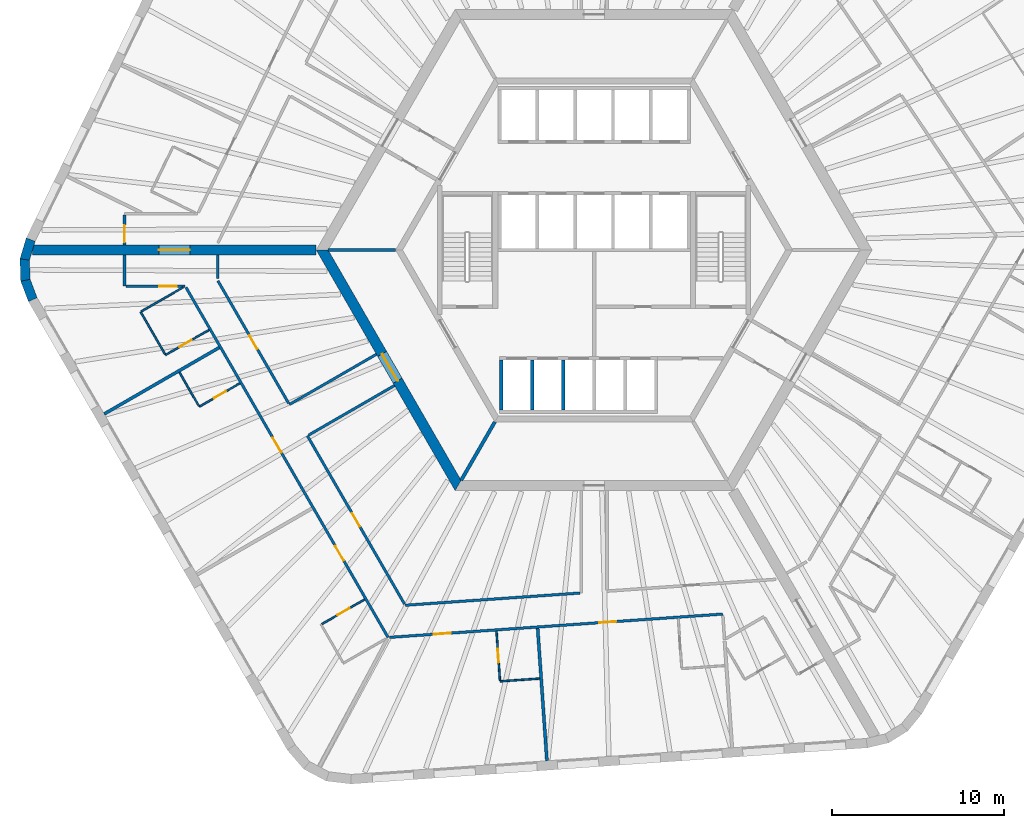
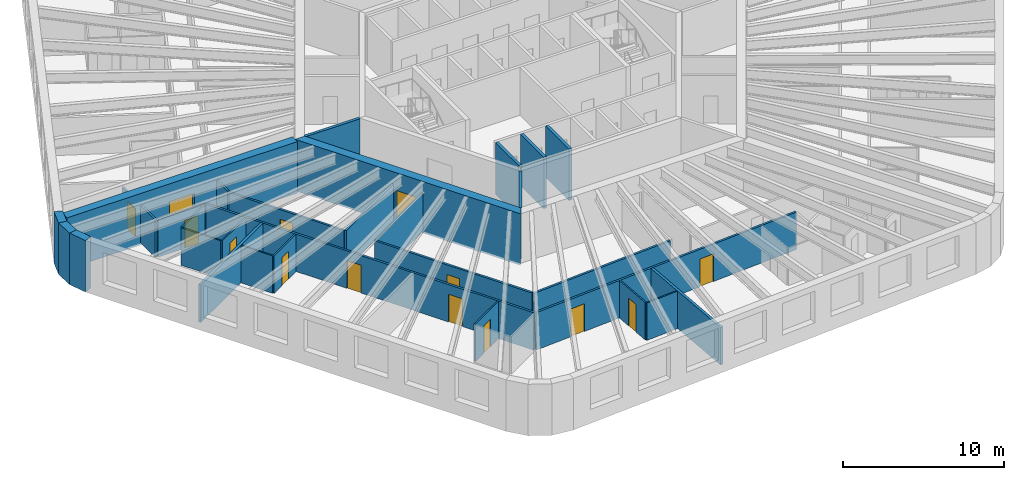
# One storey, part 3 of 12: 31 walls, 14 doors, 14 openings.
"""IFC4 building model written with IfcOpenShell, lengths in metres."""

from ifc_helpers import new_model, si_unit, direction, frame, frame_2d, origin, place, context, subcontext, project, spatial, polyline, rectangle, outline, extrude, material, layer, layer_set, type_object, element, fill, save


model = new_model("IFC4")

# Units and contexts
model_context = context("Model", 3, precision=1e-05, world=origin(), true_north=direction((0.0, 1.0)))
body_context = subcontext(model_context, "Body", "Model", "MODEL_VIEW")
ifc_project = project(units=[si_unit("LENGTHUNIT", "METRE"), si_unit("AREAUNIT", "SQUARE_METRE"), si_unit("VOLUMEUNIT", "CUBIC_METRE"), si_unit("PLANEANGLEUNIT", "RADIAN"), si_unit("MASSUNIT", "GRAM", prefix="KILO")], contexts=[model_context])

# Site, building, storey
site_placement = place(None, origin())
site = spatial("IfcSite", under=ifc_project, at=site_placement, CompositionType="ELEMENT")
building_placement = place(site_placement, origin())
building = spatial("IfcBuilding", under=site, at=building_placement, Name="Tarnside Tower", CompositionType="ELEMENT")
storey_placement = place(building_placement, frame((0.0, 0.0, 138.89990234375)))
storey = spatial("IfcBuildingStorey", under=building, at=storey_placement, Name="L32", CompositionType="ELEMENT", Elevation=138.89990234375)

# Wall, opening, door
ifc_material_1 = material(Name="Gypsum board partition on steel studs", Category="steel")
ifc_layer_1 = layer(ifc_material_1, 0.10009765625)
ifc_layer_set_1 = layer_set([ifc_layer_1], Name="Bathroom wall 100")
wall_type_1 = type_object("IfcWallType", Name="Bathroom wall 100", PredefinedType="PARTITIONING", material=ifc_layer_set_1)
wall_1_placement = place(storey_placement, frame((-22.40185546875, -4.64892578125, 0.0), z_axis=(0.0, 0.0, 1.0), x_axis=(-0.865989585315, -0.500062034277, 0.0)))
wall_1 = element("IfcWall", 1, at=wall_1_placement, inside=storey, type_object=wall_type_1, Name="Bathroom wall 10109", PredefinedType="PARTITIONING", context=body_context, shape_type="SweptSolid", body=[
    extrude(rectangle(XDim=2.925048828125, YDim=0.10009765625, at=frame_2d((1.46240234375, 0.0))), origin(), (0.0, 0.0, 1.0), 2.837890625),
])
opening_1_placement = place(wall_1_placement, frame((1.175048828125, 0.0, 0.0)))
opening_1 = element("IfcOpeningElement", 2, at=opening_1_placement, cuts=wall_1, Name="Opening D-B1", PredefinedType="OPENING", context=body_context, shape_type="SweptSolid", body=[
    extrude(rectangle(XDim=0.800048828125, YDim=2.10009765625, at=frame_2d((0.39990234375, 1.050048828125))), frame((0.0, 0.06005859375, 0.0), z_axis=(0.0, -1.0, 0.0), x_axis=(1.0, 0.0, 0.0)), (0.0, 0.0, 1.0), 0.1201171875),
])
ifc_material_2 = material(Name="Timber door leaf", Category="wood")
door_type_1 = type_object("IfcDoorType", Name="Bathroom door 800", OperationType="NOTDEFINED", PredefinedType="DOOR", material=ifc_material_2)
door_1_placement = place(opening_1_placement, origin())
door_1 = element("IfcDoor", 3, at=door_1_placement, inside=storey, type_object=door_type_1, Name="Bathroom door 10018", OperationType="SINGLE_SWING_LEFT", OverallHeight=2.10009765625, OverallWidth=0.800048828125, PredefinedType="DOOR", context=body_context, shape_type="SweptSolid", body=[
    extrude(rectangle(XDim=0.800048828125, YDim=2.10009765625, at=frame_2d((0.39990234375, 1.050048828125))), frame((0.0, 0.02490234375, 0.0), z_axis=(0.0, -1.0, 0.0), x_axis=(1.0, 0.0, 0.0)), (0.0, 0.0, 1.0), 0.050048828125),
])
fill(opening_1, door_1)

# Walls
wall_2_placement = place(storey_placement, frame((-24.9599609375, -6.068115234375, 0.0), z_axis=(0.0, 0.0, 1.0), x_axis=(-0.500036373335, 0.866004402611, 0.0)))
element("IfcWall", 4, at=wall_2_placement, inside=storey, type_object=wall_type_1, Name="Bathroom wall 10110", PredefinedType="PARTITIONING", context=body_context, shape_type="SweptSolid", body=[
    extrude(rectangle(XDim=2.849853515625, YDim=0.10009765625, at=frame_2d((1.4248046875, 0.0))), origin(), (0.0, 0.0, 1.0), 2.837890625),
])
wall_3_placement = place(storey_placement, frame((-26.341552734375, -3.574951171875, 0.0), z_axis=(0.0, 0.0, 1.0), x_axis=(0.866034573852, 0.49998411664, 0.0)))
element("IfcWall", 5, at=wall_3_placement, inside=storey, type_object=wall_type_1, Name="Bathroom wall 10111", PredefinedType="PARTITIONING", context=body_context, shape_type="SweptSolid", body=[
    extrude(rectangle(XDim=2.7998046875, YDim=0.10009765625, at=frame_2d((1.39990234375, 0.0))), origin(), (0.0, 0.0, 1.0), 2.837890625),
])

# Wall, opening, door
wall_4_placement = place(storey_placement, frame((-20.60888671875, -7.75439453125, 0.0), z_axis=(0.0, 0.0, 1.0), x_axis=(-0.866012511928, -0.500022328685, 0.0)))
wall_4 = element("IfcWall", 6, at=wall_4_placement, inside=storey, type_object=wall_type_1, Name="Bathroom wall 10114", PredefinedType="PARTITIONING", context=body_context, shape_type="SweptSolid", body=[
    extrude(rectangle(XDim=2.72509765625, YDim=0.10009765625, at=frame_2d((1.362548828125, 0.0))), origin(), (0.0, 0.0, 1.0), 2.837890625),
])
opening_2_placement = place(wall_4_placement, frame((0.925048828125, 0.0, 0.0)))
opening_2 = element("IfcOpeningElement", 7, at=opening_2_placement, cuts=wall_4, Name="Opening D-B1", PredefinedType="OPENING", context=body_context, shape_type="SweptSolid", body=[
    extrude(rectangle(XDim=0.800048828125, YDim=2.10009765625, at=frame_2d((0.39990234375, 1.050048828125))), frame((0.0, 0.06005859375, 0.0), z_axis=(0.0, -1.0, 0.0), x_axis=(1.0, 0.0, 0.0)), (0.0, 0.0, 1.0), 0.1201171875),
])
door_2_placement = place(opening_2_placement, origin())
door_2 = element("IfcDoor", 8, at=door_2_placement, inside=storey, type_object=door_type_1, Name="Bathroom door 10020", OperationType="SINGLE_SWING_RIGHT", OverallHeight=2.10009765625, OverallWidth=0.800048828125, PredefinedType="DOOR", context=body_context, shape_type="SweptSolid", body=[
    extrude(rectangle(XDim=0.800048828125, YDim=2.10009765625, at=frame_2d((0.39990234375, 1.050048828125))), frame((0.0, 0.02490234375, 0.0), z_axis=(0.0, -1.0, 0.0), x_axis=(1.0, 0.0, 0.0)), (0.0, 0.0, 1.0), 0.050048828125),
])
fill(opening_2, door_2)

# Wall
wall_5_placement = place(storey_placement, frame((-22.993896484375, -9.073486328125, 0.0), z_axis=(0.0, 0.0, 1.0), x_axis=(-0.4999967785, 0.866027263711, 0.0)))
element("IfcWall", 9, at=wall_5_placement, inside=storey, type_object=wall_type_1, Name="Bathroom wall 10115", PredefinedType="PARTITIONING", context=body_context, shape_type="SweptSolid", body=[
    extrude(rectangle(XDim=2.259765625, YDim=0.10009765625, at=frame_2d((1.1298828125, 0.0))), origin(), (0.0, 0.0, 1.0), 2.837890625),
])

# Wall, opening, door
wall_6_placement = place(storey_placement, frame((-15.840087890625, -21.764404296875, 0.0), z_axis=(0.0, 0.0, 1.0), x_axis=(0.866039941686, 0.499974818771, 0.0)))
wall_6 = element("IfcWall", 10, at=wall_6_placement, inside=storey, type_object=wall_type_1, Name="Bathroom wall 10119", PredefinedType="PARTITIONING", context=body_context, shape_type="SweptSolid", body=[
    extrude(rectangle(XDim=2.875244140625, YDim=0.10009765625, at=frame_2d((1.4375, 0.0))), origin(), (0.0, 0.0, 1.0), 2.837890625),
])
opening_3_placement = place(wall_6_placement, frame((1.050048828125, 0.0, 0.0)))
opening_3 = element("IfcOpeningElement", 11, at=opening_3_placement, cuts=wall_6, Name="Opening D-B1", PredefinedType="OPENING", context=body_context, shape_type="SweptSolid", body=[
    extrude(rectangle(XDim=0.800048828125, YDim=2.10009765625, at=frame_2d((0.39990234375, 1.050048828125))), frame((0.0, 0.06005859375, 0.0), z_axis=(0.0, -1.0, 0.0), x_axis=(1.0, 0.0, 0.0)), (0.0, 0.0, 1.0), 0.1201171875),
])
door_3_placement = place(opening_3_placement, origin())
door_3 = element("IfcDoor", 12, at=door_3_placement, inside=storey, type_object=door_type_1, Name="Bathroom door 10022", OperationType="SINGLE_SWING_LEFT", OverallHeight=2.10009765625, OverallWidth=0.800048828125, PredefinedType="DOOR", context=body_context, shape_type="SweptSolid", body=[
    extrude(rectangle(XDim=0.800048828125, YDim=2.10009765625, at=frame_2d((0.39990234375, 1.050048828125))), frame((0.0, 0.02490234375, 0.0), z_axis=(0.0, -1.0, 0.0), x_axis=(1.0, 0.0, 0.0)), (0.0, 0.0, 1.0), 0.050048828125),
])
fill(opening_3, door_3)

# Wall
wall_7_placement = place(storey_placement, frame((-3.169677734375, -24.931884765625, 0.0), z_axis=(0.0, 0.0, 1.0), x_axis=(-0.997564338377, -0.069752353356, 0.0)))
element("IfcWall", 13, at=wall_7_placement, inside=storey, type_object=wall_type_1, Name="Bathroom wall 10121", PredefinedType="PARTITIONING", context=body_context, shape_type="SweptSolid", body=[
    extrude(rectangle(XDim=2.31005859375, YDim=0.10009765625, at=frame_2d((1.155029296875, 0.0))), origin(), (0.0, 0.0, 1.0), 2.837890625),
])

# Wall, opening, door
wall_8_placement = place(storey_placement, frame((-5.4775390625, -25.043212890625, 0.0), z_axis=(0.0, 0.0, 1.0), x_axis=(-0.069714207611, 0.997567004896, 0.0)))
wall_8 = element("IfcWall", 14, at=wall_8_placement, inside=storey, type_object=wall_type_1, Name="Bathroom wall 10122", PredefinedType="PARTITIONING", context=body_context, shape_type="SweptSolid", body=[
    extrude(rectangle(XDim=2.875244140625, YDim=0.10009765625, at=frame_2d((1.4375, 0.0))), origin(), (0.0, 0.0, 1.0), 2.837890625),
])
opening_4_placement = place(wall_8_placement, frame((1.050048828125, 0.0, 0.0)))
opening_4 = element("IfcOpeningElement", 15, at=opening_4_placement, cuts=wall_8, Name="Opening D-B1", PredefinedType="OPENING", context=body_context, shape_type="SweptSolid", body=[
    extrude(rectangle(XDim=0.800048828125, YDim=2.10009765625, at=frame_2d((0.39990234375, 1.050048828125))), frame((0.0, 0.06005859375, 0.0), z_axis=(0.0, -1.0, 0.0), x_axis=(1.0, 0.0, 0.0)), (0.0, 0.0, 1.0), 0.1201171875),
])
door_4_placement = place(opening_4_placement, origin())
door_4 = element("IfcDoor", 16, at=door_4_placement, inside=storey, type_object=door_type_1, Name="Bathroom door 10024", OperationType="SINGLE_SWING_LEFT", OverallHeight=2.10009765625, OverallWidth=0.800048828125, PredefinedType="DOOR", context=body_context, shape_type="SweptSolid", body=[
    extrude(rectangle(XDim=0.800048828125, YDim=2.10009765625, at=frame_2d((0.39990234375, 1.050048828125))), frame((0.0, 0.02490234375, 0.0), z_axis=(0.0, -1.0, 0.0), x_axis=(1.0, 0.0, 0.0)), (0.0, 0.0, 1.0), 0.050048828125),
])
fill(opening_4, door_4)

ifc_material_3 = material(Name="Concrete C80/95", Category="concrete")
ifc_layer_2 = layer(ifc_material_3, 0.60009765625)
ifc_layer_set_2 = layer_set([ifc_layer_2], Name="Core wall Z1 600 C80/95")
wall_type_2 = type_object("IfcWallType", Name="Core wall Z1 600 C80/95", PredefinedType="SHEAR", material=ifc_layer_set_2)
wall_9_placement = place(storey_placement, frame((-15.8193359375, 0.0, -0.14990234375), z_axis=(0.0, 0.0, 1.0), x_axis=(0.499999880136, -0.866025472988, 0.0)))
wall_9 = element("IfcWall", 17, at=wall_9_placement, inside=storey, type_object=wall_type_2, Name="L32 core wall face 3", PredefinedType="SHEAR", context=body_context, shape_type="SweptSolid", body=[
    extrude(outline(polyline([(-0.17333984375, -0.300048828125), (15.99267578125, -0.300048828125), (15.64599609375, 0.300048828125), (0.17333984375, 0.300048828125), (-0.17333984375, -0.300048828125)])), origin(), (0.0, 0.0, 1.0), 3.89990234375),
])
opening_5_placement = place(wall_9_placement, frame((6.980712890625, 0.0, 0.14990234375)))
opening_5 = element("IfcOpeningElement", 18, at=opening_5_placement, cuts=wall_9, Name="Opening CD-FFL", PredefinedType="OPENING", context=body_context, shape_type="SweptSolid", body=[
    extrude(rectangle(XDim=1.800048828125, YDim=2.39990234375, at=frame_2d((0.89990234375, 1.199951171875))), frame((0.0, 0.31005859375, 0.0), z_axis=(0.0, -1.0, 0.0), x_axis=(1.0, 0.0, 0.0)), (0.0, 0.0, 1.0), 0.6201171875),
])
ifc_material_4 = material(Name="Steel fire door", Category="steel")
door_type_2 = type_object("IfcDoorType", Name="Firefighting lobby double door FD60S 1800x2400", OperationType="NOTDEFINED", PredefinedType="DOOR", material=ifc_material_4)
door_5_placement = place(opening_5_placement, origin())
door_5 = element("IfcDoor", 19, at=door_5_placement, inside=storey, type_object=door_type_2, Name="L32 core door P3", OperationType="DOUBLE_DOOR_SINGLE_SWING", OverallHeight=2.39990234375, OverallWidth=1.800048828125, PredefinedType="DOOR", context=body_context, shape_type="SweptSolid", body=[
    extrude(rectangle(XDim=1.800048828125, YDim=2.39990234375, at=frame_2d((0.89990234375, 1.199951171875))), frame((0.0, 0.02490234375, 0.0), z_axis=(0.0, -1.0, 0.0), x_axis=(1.0, 0.0, 0.0)), (0.0, 0.0, 1.0), 0.050048828125),
])
fill(opening_5, door_5)

wall_10_placement = place(storey_placement, frame((-16.165771484375, 0.0, -0.14990234375), z_axis=(0.0, 0.0, 1.0), x_axis=(-1.0, 0.0, 0.0)))
wall_10 = element("IfcWall", 20, at=wall_10_placement, inside=storey, type_object=wall_type_2, Name="L32 spine wall 2", PredefinedType="SHEAR", context=body_context, shape_type="SweptSolid", body=[
    extrude(rectangle(XDim=16.509033203125, YDim=0.60009765625, at=frame_2d((8.25439453125, 0.0))), origin(), (0.0, 0.0, 1.0), 3.89990234375),
])
opening_6_placement = place(wall_10_placement, frame((7.3544921875, 0.0, 0.14990234375)))
opening_6 = element("IfcOpeningElement", 21, at=opening_6_placement, cuts=wall_10, Name="Opening CD-SPN", PredefinedType="OPENING", context=body_context, shape_type="SweptSolid", body=[
    extrude(rectangle(XDim=1.800048828125, YDim=2.39990234375, at=frame_2d((0.89990234375, 1.199951171875))), frame((0.0, 0.31005859375, 0.0), z_axis=(0.0, -1.0, 0.0), x_axis=(1.0, 0.0, 0.0)), (0.0, 0.0, 1.0), 0.6201171875),
])
door_type_3 = type_object("IfcDoorType", Name="Spine passage double door FD60 1800x2400", OperationType="NOTDEFINED", PredefinedType="DOOR", material=ifc_material_4)
door_6_placement = place(opening_6_placement, origin())
door_6 = element("IfcDoor", 22, at=door_6_placement, inside=storey, type_object=door_type_3, Name="L32 spine passage door 2", OperationType="DOUBLE_DOOR_SINGLE_SWING", OverallHeight=2.39990234375, OverallWidth=1.800048828125, PredefinedType="DOOR", context=body_context, shape_type="SweptSolid", body=[
    extrude(rectangle(XDim=1.800048828125, YDim=2.39990234375, at=frame_2d((0.89990234375, 1.199951171875))), frame((0.0, 0.02490234375, 0.0), z_axis=(0.0, -1.0, 0.0), x_axis=(1.0, 0.0, 0.0)), (0.0, 0.0, 1.0), 0.050048828125),
])
fill(opening_6, door_6)

ifc_layer_3 = layer(ifc_material_1, 0.14990234375)
ifc_layer_set_3 = layer_set([ifc_layer_3], Name="Corridor wall 150 EI 60")
wall_type_3 = type_object("IfcWallType", Name="Corridor wall 150 EI 60", PredefinedType="PARTITIONING", material=ifc_layer_set_3)
wall_11_placement = place(storey_placement, frame((-27.3203125, 2.02490234375, 0.0), z_axis=(0.0, 0.0, 1.0), x_axis=(0.0, -1.0, 0.0)))
wall_11 = element("IfcWall", 23, at=wall_11_placement, inside=storey, type_object=wall_type_3, Name="Corridor wall 10015", PredefinedType="PARTITIONING", context=body_context, shape_type="SweptSolid", body=[
    extrude(rectangle(XDim=1.724853515625, YDim=0.14990234375, at=frame_2d((0.8623046875, 0.0))), origin(), (0.0, 0.0, 1.0), 2.837890625),
])
opening_7_placement = place(wall_11_placement, frame((0.574951171875, 0.0, 0.0)))
opening_7 = element("IfcOpeningElement", 24, at=opening_7_placement, cuts=wall_11, Name="Opening D-E1", PredefinedType="OPENING", context=body_context, shape_type="SweptSolid", body=[
    extrude(rectangle(XDim=1.0, YDim=2.10009765625, at=frame_2d((0.5, 1.050048828125))), frame((0.0, 0.0849609375, 0.0), z_axis=(0.0, -1.0, 0.0), x_axis=(1.0, 0.0, 0.0)), (0.0, 0.0, 1.0), 0.169921875),
])
door_type_4 = type_object("IfcDoorType", Name="Unit entrance door 1000 FD30S", OperationType="NOTDEFINED", PredefinedType="DOOR", material=ifc_material_2)
door_7_placement = place(opening_7_placement, origin())
door_7 = element("IfcDoor", 25, at=door_7_placement, inside=storey, type_object=door_type_4, Name="Unit door 10016", OperationType="SINGLE_SWING_LEFT", OverallHeight=2.10009765625, OverallWidth=1.0, PredefinedType="DOOR", context=body_context, shape_type="SweptSolid", body=[
    extrude(rectangle(XDim=1.0, YDim=2.10009765625, at=frame_2d((0.5, 1.050048828125))), frame((0.0, 0.02490234375, 0.0), z_axis=(0.0, -1.0, 0.0), x_axis=(1.0, 0.0, 0.0)), (0.0, 0.0, 1.0), 0.050048828125),
])
fill(opening_7, door_7)

# Wall
wall_12_placement = place(storey_placement, frame((-27.3203125, -0.300048828125, 0.0), z_axis=(0.0, 0.0, 1.0), x_axis=(0.0, -1.0, 0.0)))
element("IfcWall", 26, at=wall_12_placement, inside=storey, type_object=wall_type_3, Name="Corridor wall 10025", PredefinedType="PARTITIONING", context=body_context, shape_type="SweptSolid", body=[
    extrude(rectangle(XDim=1.800048828125, YDim=0.14990234375, at=frame_2d((0.89990234375, 0.0))), origin(), (0.0, 0.0, 1.0), 2.837890625),
])

# Wall, opening, door
wall_13_placement = place(storey_placement, frame((-27.245361328125, -2.10009765625, 0.0), z_axis=(0.0, 0.0, 1.0), x_axis=(1.0, 0.0, 0.0)))
wall_13 = element("IfcWall", 27, at=wall_13_placement, inside=storey, type_object=wall_type_3, Name="Corridor wall 10026", PredefinedType="PARTITIONING", context=body_context, shape_type="SweptSolid", body=[
    extrude(rectangle(XDim=3.45849609375, YDim=0.14990234375, at=frame_2d((1.729248046875, 0.0))), origin(), (0.0, 0.0, 1.0), 2.837890625),
])
opening_8_placement = place(wall_13_placement, frame((1.95849609375, 0.0, 0.0)))
opening_8 = element("IfcOpeningElement", 28, at=opening_8_placement, cuts=wall_13, Name="Opening D-E1", PredefinedType="OPENING", context=body_context, shape_type="SweptSolid", body=[
    extrude(rectangle(XDim=1.0, YDim=2.10009765625, at=frame_2d((0.5, 1.050048828125))), frame((0.0, 0.0849609375, 0.0), z_axis=(0.0, -1.0, 0.0), x_axis=(1.0, 0.0, 0.0)), (0.0, 0.0, 1.0), 0.169921875),
])
door_8_placement = place(opening_8_placement, origin())
door_8 = element("IfcDoor", 29, at=door_8_placement, inside=storey, type_object=door_type_4, Name="Unit door 10017", OperationType="SINGLE_SWING_LEFT", OverallHeight=2.10009765625, OverallWidth=1.0, PredefinedType="DOOR", context=body_context, shape_type="SweptSolid", body=[
    extrude(rectangle(XDim=1.0, YDim=2.10009765625, at=frame_2d((0.5, 1.050048828125))), frame((0.0, 0.02490234375, 0.0), z_axis=(0.0, -1.0, 0.0), x_axis=(1.0, 0.0, 0.0)), (0.0, 0.0, 1.0), 0.050048828125),
])
fill(opening_8, door_8)

# Wall, openings, doors
wall_14_placement = place(storey_placement, frame((-23.743408203125, -2.175048828125, 0.0), z_axis=(0.0, 0.0, 1.0), x_axis=(0.499992353047, -0.86602981871, 0.0)))
wall_14 = element("IfcWall", 30, at=wall_14_placement, inside=storey, type_object=wall_type_3, Name="Corridor wall 10027", PredefinedType="PARTITIONING", context=body_context, shape_type="SweptSolid", body=[
    extrude(rectangle(XDim=23.516357421875, YDim=0.14990234375, at=frame_2d((11.75830078125, 0.0))), origin(), (0.0, 0.0, 1.0), 2.837890625),
])
opening_9_placement = place(wall_14_placement, frame((10.09912109375, 0.0, 0.0)))
opening_9 = element("IfcOpeningElement", 31, at=opening_9_placement, cuts=wall_14, Name="Opening D-E1", PredefinedType="OPENING", context=body_context, shape_type="SweptSolid", body=[
    extrude(rectangle(XDim=1.0, YDim=2.10009765625, at=frame_2d((0.5, 1.050048828125))), frame((0.0, 0.0849609375, 0.0), z_axis=(0.0, -1.0, 0.0), x_axis=(1.0, 0.0, 0.0)), (0.0, 0.0, 1.0), 0.169921875),
])
opening_10_placement = place(wall_14_placement, frame((17.35791015625, 0.0, 0.0)))
opening_10 = element("IfcOpeningElement", 32, at=opening_10_placement, cuts=wall_14, Name="Opening D-E1", PredefinedType="OPENING", context=body_context, shape_type="SweptSolid", body=[
    extrude(rectangle(XDim=1.0, YDim=2.10009765625, at=frame_2d((0.5, 1.050048828125))), frame((0.0, 0.0849609375, 0.0), z_axis=(0.0, -1.0, 0.0), x_axis=(1.0, 0.0, 0.0)), (0.0, 0.0, 1.0), 0.169921875),
])
door_9_placement = place(opening_9_placement, origin())
door_9 = element("IfcDoor", 33, at=door_9_placement, inside=storey, type_object=door_type_4, Name="Unit door 10019", OperationType="SINGLE_SWING_LEFT", OverallHeight=2.10009765625, OverallWidth=1.0, PredefinedType="DOOR", context=body_context, shape_type="SweptSolid", body=[
    extrude(rectangle(XDim=1.0, YDim=2.10009765625, at=frame_2d((0.5, 1.050048828125))), frame((0.0, 0.02490234375, 0.0), z_axis=(0.0, -1.0, 0.0), x_axis=(1.0, 0.0, 0.0)), (0.0, 0.0, 1.0), 0.050048828125),
])
fill(opening_9, door_9)
door_10_placement = place(opening_10_placement, origin())
door_10 = element("IfcDoor", 34, at=door_10_placement, inside=storey, type_object=door_type_4, Name="Unit door 10021", OperationType="SINGLE_SWING_RIGHT", OverallHeight=2.10009765625, OverallWidth=1.0, PredefinedType="DOOR", context=body_context, shape_type="SweptSolid", body=[
    extrude(rectangle(XDim=1.0, YDim=2.10009765625, at=frame_2d((0.5, 1.050048828125))), frame((0.0, 0.02490234375, 0.0), z_axis=(0.0, -1.0, 0.0), x_axis=(1.0, 0.0, 0.0)), (0.0, 0.0, 1.0), 0.050048828125),
])
fill(opening_10, door_10)

wall_15_placement = place(storey_placement, frame((-11.902099609375, -22.53515625, 0.0), z_axis=(0.0, 0.0, 1.0), x_axis=(0.997563830208, 0.069759620556, 0.0)))
wall_15 = element("IfcWall", 35, at=wall_15_placement, inside=storey, type_object=wall_type_3, Name="Corridor wall 10033", PredefinedType="PARTITIONING", context=body_context, shape_type="SweptSolid", body=[
    extrude(rectangle(XDim=19.43408203125, YDim=0.14990234375, at=frame_2d((9.717041015625, 0.0))), origin(), (0.0, 0.0, 1.0), 2.837890625),
])
opening_11_placement = place(wall_15_placement, frame((2.5751953125, 0.0, 0.0)))
opening_11 = element("IfcOpeningElement", 36, at=opening_11_placement, cuts=wall_15, Name="Opening D-E1", PredefinedType="OPENING", context=body_context, shape_type="SweptSolid", body=[
    extrude(rectangle(XDim=1.0, YDim=2.10009765625, at=frame_2d((0.5, 1.050048828125))), frame((0.0, 0.0849609375, 0.0), z_axis=(0.0, -1.0, 0.0), x_axis=(1.0, 0.0, 0.0)), (0.0, 0.0, 1.0), 0.169921875),
])
opening_12_placement = place(wall_15_placement, frame((12.23388671875, 0.0, 0.0)))
opening_12 = element("IfcOpeningElement", 37, at=opening_12_placement, cuts=wall_15, Name="Opening D-E1", PredefinedType="OPENING", context=body_context, shape_type="SweptSolid", body=[
    extrude(rectangle(XDim=1.0, YDim=2.10009765625, at=frame_2d((0.5, 1.050048828125))), frame((0.0, 0.0849609375, 0.0), z_axis=(0.0, -1.0, 0.0), x_axis=(1.0, 0.0, 0.0)), (0.0, 0.0, 1.0), 0.169921875),
])
door_11_placement = place(opening_11_placement, origin())
door_11 = element("IfcDoor", 38, at=door_11_placement, inside=storey, type_object=door_type_4, Name="Unit door 10023", OperationType="SINGLE_SWING_RIGHT", OverallHeight=2.10009765625, OverallWidth=1.0, PredefinedType="DOOR", context=body_context, shape_type="SweptSolid", body=[
    extrude(rectangle(XDim=1.0, YDim=2.10009765625, at=frame_2d((0.5, 1.050048828125))), frame((0.0, 0.02490234375, 0.0), z_axis=(0.0, -1.0, 0.0), x_axis=(1.0, 0.0, 0.0)), (0.0, 0.0, 1.0), 0.050048828125),
])
fill(opening_11, door_11)
door_12_placement = place(opening_12_placement, origin())
door_12 = element("IfcDoor", 39, at=door_12_placement, inside=storey, type_object=door_type_4, Name="Unit door 10025", OperationType="SINGLE_SWING_LEFT", OverallHeight=2.10009765625, OverallWidth=1.0, PredefinedType="DOOR", context=body_context, shape_type="SweptSolid", body=[
    extrude(rectangle(XDim=1.0, YDim=2.10009765625, at=frame_2d((0.5, 1.050048828125))), frame((0.0, 0.02490234375, 0.0), z_axis=(0.0, -1.0, 0.0), x_axis=(1.0, 0.0, 0.0)), (0.0, 0.0, 1.0), 0.050048828125),
])
fill(opening_12, door_12)

# Wall
wall_16_placement = place(storey_placement, frame((-12.663818359375, -6.065673828125, 0.0), z_axis=(0.0, 0.0, 1.0), x_axis=(-0.866018092707, -0.500012662943, 0.0)))
element("IfcWall", 40, at=wall_16_placement, inside=storey, type_object=wall_type_3, Name="Corridor wall 10042", PredefinedType="PARTITIONING", context=body_context, shape_type="SweptSolid", body=[
    extrude(rectangle(XDim=5.849853515625, YDim=0.14990234375, at=frame_2d((2.9248046875, 0.0))), origin(), (0.0, 0.0, 1.0), 2.837890625),
])

# Wall, opening, door
wall_17_placement = place(storey_placement, frame((-17.767578125, -8.92578125, 0.0), z_axis=(0.0, 0.0, 1.0), x_axis=(-0.499997033681, 0.866027116383, 0.0)))
wall_17 = element("IfcWall", 41, at=wall_17_placement, inside=storey, type_object=wall_type_3, Name="Corridor wall 10043", PredefinedType="PARTITIONING", context=body_context, shape_type="SweptSolid", body=[
    extrude(rectangle(XDim=8.2353515625, YDim=0.14990234375, at=frame_2d((4.11767578125, 0.0))), origin(), (0.0, 0.0, 1.0), 2.837890625),
])
opening_13_placement = place(wall_17_placement, frame((3.667724609375, 0.0, 0.0)))
opening_13 = element("IfcOpeningElement", 42, at=opening_13_placement, cuts=wall_17, Name="Opening D-S1", PredefinedType="OPENING", context=body_context, shape_type="SweptSolid", body=[
    extrude(rectangle(XDim=0.89990234375, YDim=2.10009765625, at=frame_2d((0.449951171875, 1.050048828125))), frame((0.0, 0.0849609375, 0.0), z_axis=(0.0, -1.0, 0.0), x_axis=(1.0, 0.0, 0.0)), (0.0, 0.0, 1.0), 0.169921875),
])
door_type_5 = type_object("IfcDoorType", Name="Service room door 900 FD30S", OperationType="NOTDEFINED", PredefinedType="DOOR", material=ifc_material_2)
door_13_placement = place(opening_13_placement, origin())
door_13 = element("IfcDoor", 43, at=door_13_placement, inside=storey, type_object=door_type_5, Name="Service door 10045", OperationType="SINGLE_SWING_RIGHT", OverallHeight=2.10009765625, OverallWidth=0.89990234375, PredefinedType="DOOR", context=body_context, shape_type="SweptSolid", body=[
    extrude(rectangle(XDim=0.89990234375, YDim=2.10009765625, at=frame_2d((0.449951171875, 1.050048828125))), frame((0.0, 0.02490234375, 0.0), z_axis=(0.0, -1.0, 0.0), x_axis=(1.0, 0.0, 0.0)), (0.0, 0.0, 1.0), 0.050048828125),
])
fill(opening_13, door_13)

# Walls
wall_18_placement = place(storey_placement, frame((-21.88525390625, -1.643798828125, 0.0), z_axis=(0.0, 0.0, 1.0), x_axis=(0.0, 1.0, 0.0)))
element("IfcWall", 44, at=wall_18_placement, inside=storey, type_object=wall_type_3, Name="Corridor wall 10044", PredefinedType="PARTITIONING", context=body_context, shape_type="SweptSolid", body=[
    extrude(rectangle(XDim=1.34375, YDim=0.14990234375, at=frame_2d((0.671875, 0.0))), origin(), (0.0, 0.0, 1.0), 2.837890625),
])
wall_19_placement = place(storey_placement, frame((-0.824951171875, -19.9560546875, 0.0), z_axis=(0.0, 0.0, 1.0), x_axis=(-0.997562587881, -0.069777383582, 0.0)))
element("IfcWall", 45, at=wall_19_placement, inside=storey, type_object=wall_type_3, Name="Corridor wall 10046", PredefinedType="PARTITIONING", context=body_context, shape_type="SweptSolid", body=[
    extrude(rectangle(XDim=10.188720703125, YDim=0.14990234375, at=frame_2d((5.09423828125, 0.0))), origin(), (0.0, 0.0, 1.0), 2.837890625),
])

# Wall, opening, door
wall_20_placement = place(storey_placement, frame((-11.030517578125, -20.5947265625, 0.0), z_axis=(0.0, 0.0, 1.0), x_axis=(-0.499987422378, 0.866032665356, 0.0)))
wall_20 = element("IfcWall", 46, at=wall_20_placement, inside=storey, type_object=wall_type_3, Name="Corridor wall 10047", PredefinedType="PARTITIONING", context=body_context, shape_type="SweptSolid", body=[
    extrude(rectangle(XDim=11.299072265625, YDim=0.14990234375, at=frame_2d((5.6494140625, 0.0))), origin(), (0.0, 0.0, 1.0), 2.837890625),
])
opening_14_placement = place(wall_20_placement, frame((5.199462890625, 0.0, 0.0)))
opening_14 = element("IfcOpeningElement", 47, at=opening_14_placement, cuts=wall_20, Name="Opening D-S1", PredefinedType="OPENING", context=body_context, shape_type="SweptSolid", body=[
    extrude(rectangle(XDim=0.89990234375, YDim=2.10009765625, at=frame_2d((0.449951171875, 1.050048828125))), frame((0.0, 0.0849609375, 0.0), z_axis=(0.0, -1.0, 0.0), x_axis=(1.0, 0.0, 0.0)), (0.0, 0.0, 1.0), 0.169921875),
])
door_14_placement = place(opening_14_placement, origin())
door_14 = element("IfcDoor", 48, at=door_14_placement, inside=storey, type_object=door_type_5, Name="Service door 10046", OperationType="SINGLE_SWING_RIGHT", OverallHeight=2.10009765625, OverallWidth=0.89990234375, PredefinedType="DOOR", context=body_context, shape_type="SweptSolid", body=[
    extrude(rectangle(XDim=0.89990234375, YDim=2.10009765625, at=frame_2d((0.449951171875, 1.050048828125))), frame((0.0, 0.02490234375, 0.0), z_axis=(0.0, -1.0, 0.0), x_axis=(1.0, 0.0, 0.0)), (0.0, 0.0, 1.0), 0.050048828125),
])
fill(opening_14, door_14)

# Walls
wall_21_placement = place(storey_placement, frame((-16.614990234375, -10.771728515625, 0.0), z_axis=(0.0, 0.0, 1.0), x_axis=(0.866025774745, 0.499999357477, 0.0)))
element("IfcWall", 49, at=wall_21_placement, inside=storey, type_object=wall_type_3, Name="Corridor wall 10048", PredefinedType="PARTITIONING", context=body_context, shape_type="SweptSolid", body=[
    extrude(rectangle(XDim=5.77490234375, YDim=0.14990234375, at=frame_2d((2.887451171875, 0.0))), origin(), (0.0, 0.0, 1.0), 2.837890625),
])
ifc_layer_4 = layer(ifc_material_1, 0.179931640625)
ifc_layer_set_4 = layer_set([ifc_layer_4], Name="Demising wall 180 EI 60")
wall_type_4 = type_object("IfcWallType", Name="Demising wall 180 EI 60", PredefinedType="PARTITIONING", material=ifc_layer_set_4)
for number, where, z_axis, x_axis, name in (
    (50, (-28.4990234375, -9.538330078125, 0.0), (0.0, 0.0, 1.0), (0.866040859435, 0.499973229072, 0.0), "Demising wall 10112"),
    (51, (-2.7451171875, -29.7138671875, 0.0), (0.0, 0.0, 1.0), (-0.069748931501, 0.997564577636, 0.0), "Demising wall 10123"),
):
    element("IfcWall", number, at=place(storey_placement, frame(where, z_axis=z_axis, x_axis=x_axis)), inside=storey, type_object=wall_type_4, Name=name, PredefinedType="PARTITIONING", context=body_context, shape_type="SweptSolid", body=[
        extrude(rectangle(XDim=7.72509765625, YDim=0.179931640625, at=frame_2d((3.862548828125, 0.0))), origin(), (0.0, 0.0, 1.0), 2.837890625),
    ])
ifc_material_5 = material(Name="Concrete C40/50", Category="concrete")
ifc_layer_5 = layer(ifc_material_5, 0.199951171875)
ifc_layer_set_5 = layer_set([ifc_layer_5], Name="Lift shaft wall 200 C40/50")
wall_type_5 = type_object("IfcWallType", Name="Lift shaft wall 200 C40/50", PredefinedType="SHEAR", material=ifc_layer_set_5)
for number, where, z_axis, x_axis, name in (
    (52, (-5.39990234375, -9.300048828125, -0.25), (0.0, 0.0, 1.0), (0.0, 1.0, 0.0), "L32 lift shaft partition R41"),
    (53, (-3.60009765625, -9.300048828125, -0.25), (0.0, 0.0, 1.0), (0.0, 1.0, 0.0), "L32 lift shaft partition R42"),
    (54, (-1.800048828125, -9.300048828125, -0.25), (0.0, 0.0, 1.0), (0.0, 1.0, 0.0), "L32 lift shaft partition R43"),
):
    element("IfcWall", number, at=place(storey_placement, frame(where, z_axis=z_axis, x_axis=x_axis)), inside=storey, type_object=wall_type_5, Name=name, PredefinedType="SHEAR", context=body_context, shape_type="SweptSolid", body=[
        extrude(rectangle(XDim=2.900146484375, YDim=0.199951171875, at=frame_2d((1.4501953125, 0.0))), origin(), (0.0, 0.0, 1.0), 3.900146484375),
    ])
wall_22_placement = place(storey_placement, frame((-11.547119140625, 0.0, -0.14990234375), z_axis=(0.0, 0.0, 1.0), x_axis=(-1.0, 0.0, 0.0)))
element("IfcWall", 55, at=wall_22_placement, inside=storey, type_object=wall_type_5, Name="L32 core partition AR180", PredefinedType="SHEAR", context=body_context, shape_type="SweptSolid", body=[
    extrude(rectangle(XDim=3.92578125, YDim=0.199951171875, at=frame_2d((1.962890625, 0.0))), origin(), (0.0, 0.0, 1.0), 3.89990234375),
])
wall_23_placement = place(storey_placement, frame((-5.7734375, -10.0, -0.14990234375), z_axis=(0.0, 0.0, 1.0), x_axis=(-0.500038251005, -0.86600331843, 0.0)))
element("IfcWall", 56, at=wall_23_placement, inside=storey, type_object=wall_type_5, Name="L32 core partition AR240", PredefinedType="SHEAR", context=body_context, shape_type="SweptSolid", body=[
    extrude(rectangle(XDim=3.926025390625, YDim=0.199951171875, at=frame_2d((1.962890625, 0.0))), origin(), (0.0, 0.0, 1.0), 3.89990234375),
])
ifc_material_6 = material(Name="Facing brick", Category="masonry")
ifc_layer_6 = layer(ifc_material_6, 0.10205078125)
ifc_material_7 = material(Name="Concrete C60/75 precast", Category="concrete")
ifc_layer_7 = layer(ifc_material_7, 0.347900390625)
ifc_material_8 = material(Name="Mineral wool insulation")
ifc_layer_8 = layer(ifc_material_8, 0.10009765625)
ifc_layer_set_6 = layer_set([ifc_layer_6, ifc_layer_7, ifc_layer_8], Name="Tube wall 550 brick faced")
wall_type_6 = type_object("IfcWallType", Name="Tube wall 550 brick faced", PredefinedType="SOLIDWALL", material=ifc_layer_set_6)
wall_24_placement = place(storey_placement, frame((-32.77685546875, 0.605224609375, -0.14990234375), z_axis=(0.0, 0.0, 1.0), x_axis=(-0.286921497463, -0.957954098219, 0.0)))
element("IfcWall", 57, at=wall_24_placement, inside=storey, type_object=wall_type_6, Name="Tube wall L32 F2 chord 05", PredefinedType="SOLIDWALL", context=body_context, shape_type="SweptSolid", body=[
    extrude(outline(polyline([(-0.0224609375, -0.27490234375), (1.25341796875, -0.27490234375), (1.1630859375, 0.27490234375), (0.0224609375, 0.27490234375), (-0.0224609375, -0.27490234375)])), origin(), (0.0, 0.0, 1.0), 3.89990234375),
])
wall_25_placement = place(storey_placement, frame((-33.12353515625, -0.55224609375, -0.14990234375), z_axis=(0.0, 0.0, 1.0), x_axis=(0.03495638276, -0.999388838893, 0.0)))
element("IfcWall", 58, at=wall_25_placement, inside=storey, type_object=wall_type_6, Name="Tube wall L32 F2 chord 06", PredefinedType="SOLIDWALL", context=body_context, shape_type="SweptSolid", body=[
    extrude(outline(polyline([(-0.045166015625, -0.27490234375), (1.25341796875, -0.27490234375), (1.1630859375, 0.27490234375), (0.045166015625, 0.27490234375), (-0.045166015625, -0.27490234375)])), origin(), (0.0, 0.0, 1.0), 3.89990234375),
])
wall_26_placement = place(storey_placement, frame((-33.081298828125, -1.759765625, -0.14990234375), z_axis=(0.0, 0.0, 1.0), x_axis=(0.353027214741, -0.935613053378, 0.0)))
element("IfcWall", 59, at=wall_26_placement, inside=storey, type_object=wall_type_6, Name="Tube wall L32 F2 chord 07", PredefinedType="SOLIDWALL", context=body_context, shape_type="SweptSolid", body=[
    extrude(outline(polyline([(-0.045166015625, -0.27490234375), (1.230712890625, -0.27490234375), (1.185791015625, 0.27490234375), (0.045166015625, 0.27490234375), (-0.045166015625, -0.27490234375)])), origin(), (0.0, 0.0, 1.0), 3.89990234375),
])

save(model, "model.ifc")
